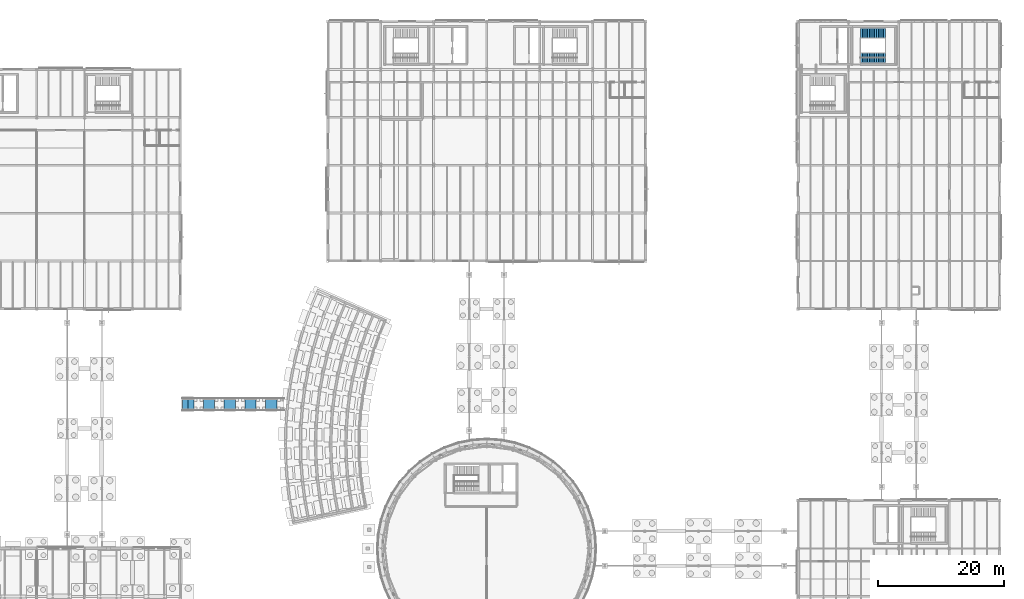
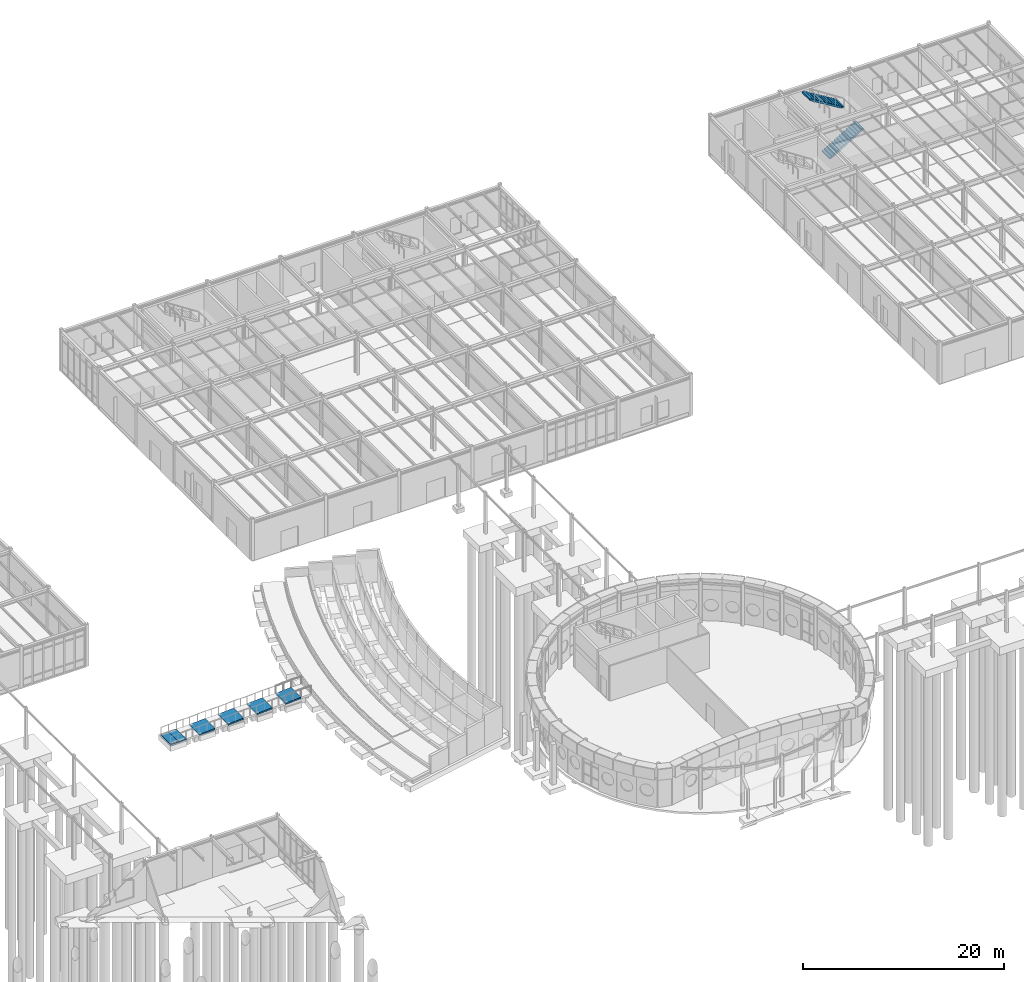
# One storey, part 96 of 109: 5 ramp flights, 2 stair flights, 1 ramp, 1 element without a shape of its own.
"""IFC4 building model written with IfcOpenShell, lengths in metres."""

from ifc_helpers import new_model, si_unit, direction, frame, origin, origin_2d, place, context, subcontext, project, spatial, polyline, rectangle, outline, extrude, material, layer, layer_set, type_object, element, aggregate, save


model = new_model("IFC4")

# Units and contexts
model_context = context("Model", 3, precision=1e-05, world=origin(), true_north=direction((0.0, 1.0)))
body_context = subcontext(model_context, "Body", "Model", "MODEL_VIEW")
ifc_project = project(units=[si_unit("LENGTHUNIT", "METRE"), si_unit("AREAUNIT", "SQUARE_METRE"), si_unit("VOLUMEUNIT", "CUBIC_METRE"), si_unit("PLANEANGLEUNIT", "RADIAN"), si_unit("MASSUNIT", "GRAM", prefix="KILO")], contexts=[model_context])

# Site, building, storey
site_placement = place(None, origin())
site = spatial("IfcSite", under=ifc_project, at=site_placement, CompositionType="ELEMENT")
building_placement = place(site_placement, origin())
building = spatial("IfcBuilding", under=site, at=building_placement, Name="Montecoro Central Library", CompositionType="ELEMENT")
storey_placement = place(building_placement, origin())
storey = spatial("IfcBuildingStorey", under=building, at=storey_placement, Name="L00", CompositionType="ELEMENT", Elevation=0.0)

# Stair, stair flights
ifc_material_1 = material(Name="Concrete C35/45", Category="concrete")
stair_type = type_object("IfcStairType", Name="STR-RET-150", PredefinedType="HALF_TURN_STAIR", material=ifc_material_1)
stair_placement = place(storey_placement, origin())
stair = element("IfcStair", 1, at=stair_placement, inside=storey, type_object=stair_type, Name="C6-L00-STR", PredefinedType="HALF_TURN_STAIR")
stair_flight_type = type_object("IfcStairFlightType", Name="SFL-01", PredefinedType="STRAIGHT", material=ifc_material_1)
stair_flight_1_placement = place(storey_placement, frame((150.919921875, 113.25, 0.0), z_axis=(0.0, 0.0, 1.0), x_axis=(1.0, 0.0, 0.0)))
stair_flight_1 = element("IfcStairFlight", 2, at=stair_flight_1_placement, type_object=stair_flight_type, Name="ST-06 flight 1", NumberOfRisers=15, NumberOfTreads=14, PredefinedType="STRAIGHT", RiserHeight=0.17, TreadLength=0.28, context=body_context, shape_type="SweptSolid", body=[
    extrude(outline(polyline([(0.0, 0.0), (0.0, 0.169921875), (0.280029296875, 0.169921875), (0.280029296875, 0.340087890625), (0.56005859375, 0.340087890625), (0.56005859375, 0.510009765625), (0.840087890625, 0.510009765625), (0.840087890625, 0.679931640625), (1.1201171875, 0.679931640625), (1.1201171875, 0.85009765625), (1.39990234375, 0.85009765625), (1.39990234375, 1.02001953125), (1.679931640625, 1.02001953125), (1.679931640625, 1.18994140625), (1.9599609375, 1.18994140625), (1.9599609375, 1.360107421875), (2.239990234375, 1.360107421875), (2.239990234375, 1.530029296875), (2.52001953125, 1.530029296875), (2.52001953125, 1.699951171875), (2.800048828125, 1.699951171875), (2.800048828125, 1.8701171875), (3.080078125, 1.8701171875), (3.080078125, 2.0400390625), (3.360107421875, 2.0400390625), (3.360107421875, 2.2099609375), (3.639892578125, 2.2099609375), (3.639892578125, 2.3798828125), (3.919921875, 2.3798828125), (3.919921875, 2.550048828125), (3.919921875, 2.19287109375), (0.30810546875, 0.0), (0.0, 0.0)])), frame((0.0, 0.75, 0.0), z_axis=(0.0, -1.0, 0.0), x_axis=(1.0, 0.0, 0.0)), (0.0, 0.0, 1.0), 1.5),
])
stair_flight_2_placement = place(storey_placement, frame((154.840087890625, 117.14990234375, 2.550048828125), z_axis=(0.0, 0.0, 1.0), x_axis=(-1.0, 0.0, 0.0)))
stair_flight_2 = element("IfcStairFlight", 3, at=stair_flight_2_placement, type_object=stair_flight_type, Name="ST-06 flight 2", NumberOfRisers=15, NumberOfTreads=14, PredefinedType="STRAIGHT", RiserHeight=0.17, TreadLength=0.28, context=body_context, shape_type="SweptSolid", body=[
    extrude(outline(polyline([(0.0, 0.0), (0.0, 0.169921875), (0.280029296875, 0.169921875), (0.280029296875, 0.340087890625), (0.56005859375, 0.340087890625), (0.56005859375, 0.510009765625), (0.840087890625, 0.510009765625), (0.840087890625, 0.679931640625), (1.1201171875, 0.679931640625), (1.1201171875, 0.85009765625), (1.39990234375, 0.85009765625), (1.39990234375, 1.02001953125), (1.679931640625, 1.02001953125), (1.679931640625, 1.18994140625), (1.9599609375, 1.18994140625), (1.9599609375, 1.360107421875), (2.239990234375, 1.360107421875), (2.239990234375, 1.530029296875), (2.52001953125, 1.530029296875), (2.52001953125, 1.699951171875), (2.800048828125, 1.699951171875), (2.800048828125, 1.8701171875), (3.080078125, 1.8701171875), (3.080078125, 2.0400390625), (3.360107421875, 2.0400390625), (3.360107421875, 2.2099609375), (3.639892578125, 2.2099609375), (3.639892578125, 2.3798828125), (3.919921875, 2.3798828125), (3.919921875, 2.550048828125), (3.919921875, 2.19287109375), (0.30810546875, 0.0), (0.0, 0.0)])), frame((0.0, 0.75, 0.0), z_axis=(0.0, -1.0, 0.0), x_axis=(1.0, 0.0, 0.0)), (0.0, 0.0, 1.0), 1.5),
])
aggregate(stair, [stair_flight_1, stair_flight_2])

# Ramp flight
ifc_material_2 = material(Name="Roman travertine concrete C32/40", Category="masonry")
ifc_layer = layer(ifc_material_2, 0.199951171875)
ifc_layer_set = layer_set([ifc_layer], Name="Roman travertine concrete C32/40")
ramp_flight_type = type_object("IfcRampFlightType", Name="RMF-ACC-180", PredefinedType="STRAIGHT", material=ifc_layer_set)
ramp_flight_1_placement = place(storey_placement, frame((43.3291015625, 59.27197265625, 0.0), z_axis=(-0.059849116422, 0.0, 0.998207434987), x_axis=(0.0, -1.0, 0.0)))
ramp_flight_1 = element("IfcRampFlight", 4, at=ramp_flight_1_placement, type_object=ramp_flight_type, Name="V1-RAMP-FL1", PredefinedType="STRAIGHT", context=body_context, shape_type="SweptSolid", body=[
    extrude(outline(polyline([(0.0, 0.0), (2.0, 0.0), (2.0, 1.8030367480916387), (0.0, 1.8030367480916387), (0.0, 0.0)])), origin(), (0.0, 0.0, -1.0), 0.179931640625),
])

ramp_flight_2_placement = place(storey_placement, frame((46.62890625, 59.27197265625, 0.10791015625), z_axis=(-0.059975928643, 0.0, 0.998199823674), x_axis=(0.0, -1.0, 0.0)))
ramp_flight_2 = element("IfcRampFlight", 5, at=ramp_flight_2_placement, type_object=ramp_flight_type, Name="V1-RAMP-FL2", PredefinedType="STRAIGHT", context=body_context, shape_type="SweptSolid", body=[
    extrude(outline(polyline([(0.0, 0.0), (2.0, 0.0), (2.0, 1.8032950772313199), (0.0, 1.8032950772313199), (0.0, 0.0)])), origin(), (0.0, 0.0, -1.0), 0.179931640625),
])

ramp_flight_3_placement = place(storey_placement, frame((49.928955078125, 59.27197265625, 0.216064453125), z_axis=(-0.059841028156, 0.0, 0.998207919899), x_axis=(0.0, -1.0, 0.0)))
ramp_flight_3 = element("IfcRampFlight", 6, at=ramp_flight_3_placement, type_object=ramp_flight_type, Name="V1-RAMP-FL3", PredefinedType="STRAIGHT", context=body_context, shape_type="SweptSolid", body=[
    extrude(outline(polyline([(0.0, 0.0), (2.0, 0.0), (2.0, 1.8032804511378935), (0.0, 1.8032804511378935), (0.0, 0.0)])), origin(), (0.0, 0.0, -1.0), 0.179931640625),
])

ramp_flight_4_placement = place(storey_placement, frame((53.22900390625, 59.27197265625, 0.323974609375), z_axis=(-0.059841028156, 0.0, 0.998207919899), x_axis=(0.0, -1.0, 0.0)))
ramp_flight_4 = element("IfcRampFlight", 7, at=ramp_flight_4_placement, type_object=ramp_flight_type, Name="V1-RAMP-FL4", PredefinedType="STRAIGHT", context=body_context, shape_type="SweptSolid", body=[
    extrude(outline(polyline([(0.0, 0.0), (2.0, 0.0), (2.0, 1.8032804511378935), (0.0, 1.8032804511378935), (0.0, 0.0)])), origin(), (0.0, 0.0, -1.0), 0.179931640625),
])

ramp_flight_5_placement = place(storey_placement, frame((56.529052734375, 59.27197265625, 0.431884765625), z_axis=(-0.059975928643, 0.0, 0.998199823674), x_axis=(0.0, -1.0, 0.0)))
ramp_flight_5 = element("IfcRampFlight", 8, at=ramp_flight_5_placement, type_object=ramp_flight_type, Name="V1-RAMP-FL5", PredefinedType="STRAIGHT", context=body_context, shape_type="SweptSolid", body=[
    extrude(outline(polyline([(0.0, 0.0), (2.0, 0.0), (2.0, 1.8032950772313199), (0.0, 1.8032950772313199), (0.0, 0.0)])), origin(), (0.0, 0.0, -1.0), 0.179931640625),
])

# Ramp
ramp_type = type_object("IfcRampType", Name="RMP-ACC-180", PredefinedType="STRAIGHT_RUN_RAMP", material=ifc_material_2)
ramp_placement = place(storey_placement, frame((43.779052734375, 58.27197265625, 0.0), z_axis=(0.0, 0.0, 1.0), x_axis=(1.0, 0.0, 0.0)))
ramp = element("IfcRamp", 9, at=ramp_placement, inside=storey, type_object=ramp_type, Name="V1-GARDEN-RAMP", PredefinedType="STRAIGHT_RUN_RAMP", context=body_context, shape_type="SweptSolid", body=[
    extrude(rectangle(XDim=0.89990234375, YDim=1.800048828125, at=origin_2d()), origin(), (0.0, 0.0, 1.0), 0.080078125),
])

aggregate(ramp, [ramp_flight_1, ramp_flight_2, ramp_flight_3, ramp_flight_4, ramp_flight_5])

save(model, "model.ifc")
